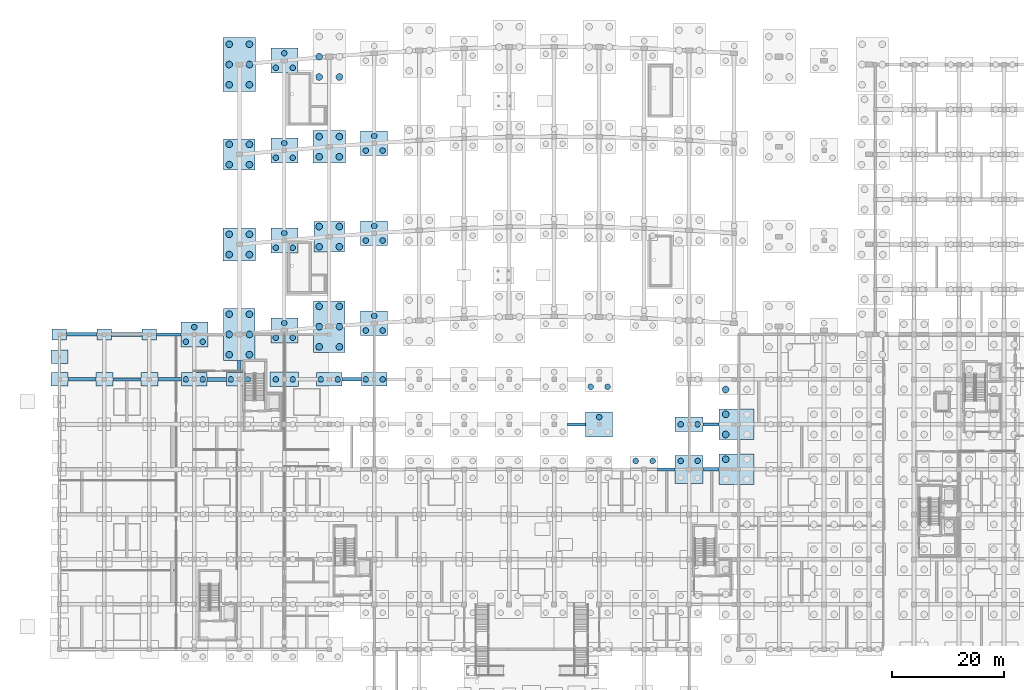
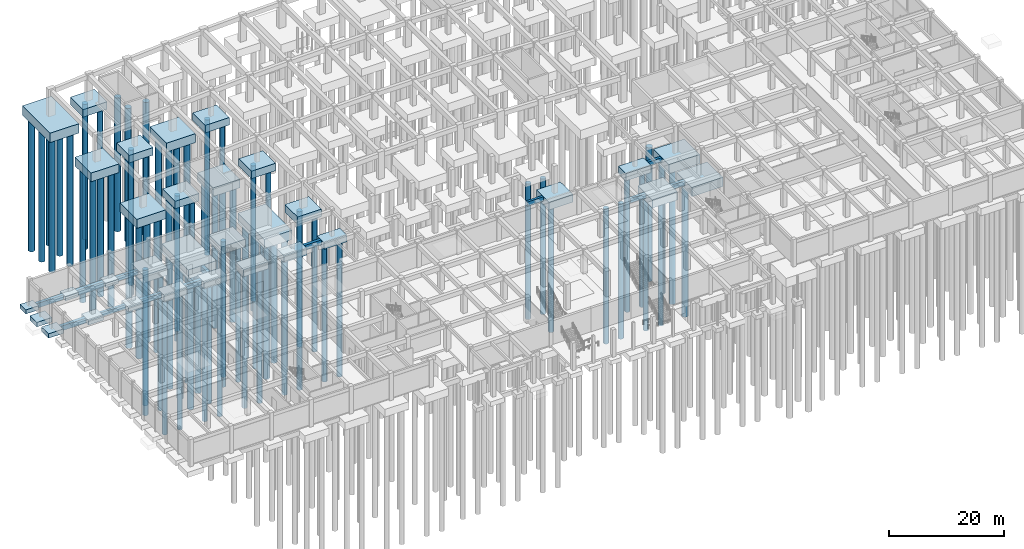
# One storey, part 4 of 45: 84 piles, 45 footings.
"""IFC4 building model written with IfcOpenShell, lengths in metres."""

from ifc_helpers import new_model, si_unit, direction, frame, origin, origin_2d, place, context, subcontext, project, spatial, rectangle, circle, extrude, material, material_profile, profile_set, type_object, element, save


model = new_model("IFC4")

# Units and contexts
model_context = context("Model", 3, precision=1e-05, world=origin(), true_north=direction((0.0, 1.0)))
body_context = subcontext(model_context, "Body", "Model", "MODEL_VIEW")
ifc_project = project(units=[si_unit("LENGTHUNIT", "METRE"), si_unit("AREAUNIT", "SQUARE_METRE"), si_unit("VOLUMEUNIT", "CUBIC_METRE"), si_unit("PLANEANGLEUNIT", "RADIAN"), si_unit("MASSUNIT", "GRAM", prefix="KILO")], contexts=[model_context])

# Site, building, storey
site_placement = place(None, origin())
site = spatial("IfcSite", under=ifc_project, at=site_placement, CompositionType="ELEMENT")
building_placement = place(site_placement, origin())
building = spatial("IfcBuilding", under=site, at=building_placement, Name="Kenh Van Central Station", CompositionType="ELEMENT")
storey_placement = place(building_placement, frame((0.0, 0.0, -5.39990234375)))
storey = spatial("IfcBuildingStorey", under=building, at=storey_placement, Name="B1", CompositionType="ELEMENT", Elevation=-5.39990234375)

# Footings
ifc_material = material(Name="Concrete C40/50", Category="concrete")
ifc_material_profile_1 = material_profile(ifc_material, rectangle(XDim=0.5, YDim=0.89990234375, at=origin_2d()), Name="RC 500x900")
ifc_profile_set_1 = profile_set([ifc_material_profile_1], Name="Concrete C40/50")
footing_type_1 = type_object("IfcFootingType", Name="FBM-500x900", PredefinedType="FOOTING_BEAM", material=ifc_profile_set_1)
footing_1_placement = place(storey_placement, frame((9.5, 56.0, -0.85009765625), z_axis=(1.0, 0.0, 0.0), x_axis=(0.0, 1.0, 0.0)))
element("IfcFooting", 1, at=footing_1_placement, inside=storey, type_object=footing_type_1, Name="Ground tie beam 019", PredefinedType="FOOTING_BEAM", context=body_context, shape_type="SweptSolid", body=[
    extrude(rectangle(XDim=0.5, YDim=0.89990234375, at=origin_2d()), origin(), (0.0, 0.0, 1.0), 5.0),
])
footing_2_placement = place(storey_placement, frame((114.5, 48.0, -0.85009765625), z_axis=(1.0, 0.0, 0.0), x_axis=(0.0, 1.0, 0.0)))
element("IfcFooting", 2, at=footing_2_placement, inside=storey, type_object=footing_type_1, Name="Ground tie beam 089", PredefinedType="FOOTING_BEAM", context=body_context, shape_type="SweptSolid", body=[
    extrude(rectangle(XDim=0.5, YDim=0.89990234375, at=origin_2d()), origin(), (0.0, 0.0, 1.0), 2.800048828125),
])
footing_3_placement = place(storey_placement, frame((90.39990234375, 48.0, -0.85009765625), z_axis=(1.0, 0.0, 0.0), x_axis=(0.0, 1.0, 0.0)))
element("IfcFooting", 3, at=footing_3_placement, inside=storey, type_object=footing_type_1, Name="Ground tie beam 099", PredefinedType="FOOTING_BEAM", context=body_context, shape_type="SweptSolid", body=[
    extrude(rectangle(XDim=0.5, YDim=0.89990234375, at=origin_2d()), origin(), (0.0, 0.0, 1.0), 3.2001953125),
])
ifc_material_profile_2 = material_profile(ifc_material, rectangle(XDim=0.550048828125, YDim=0.949951171875, at=origin_2d()), Name="RC 550x950")
ifc_profile_set_2 = profile_set([ifc_material_profile_2], Name="Concrete C40/50")
footing_type_2 = type_object("IfcFootingType", Name="FBM-550x950", PredefinedType="FOOTING_BEAM", material=ifc_profile_set_2)
footing_4_placement = place(storey_placement, frame((17.300048828125, 64.0, -0.875), z_axis=(1.0, 0.0, 0.0), x_axis=(0.0, 1.0, 0.0)))
element("IfcFooting", 4, at=footing_4_placement, inside=storey, type_object=footing_type_2, Name="Ground tie beam 028", PredefinedType="FOOTING_BEAM", context=body_context, shape_type="SweptSolid", body=[
    extrude(rectangle(XDim=0.550048828125, YDim=0.949951171875, at=origin_2d()), origin(), (0.0, 0.0, 1.0), 4.300048828125),
])
footing_5_placement = place(storey_placement, frame((106.39990234375, 40.0, -0.875), z_axis=(1.0, 0.0, 0.0), x_axis=(0.0, 1.0, 0.0)))
element("IfcFooting", 5, at=footing_5_placement, inside=storey, type_object=footing_type_2, Name="Ground tie beam 078", PredefinedType="FOOTING_BEAM", context=body_context, shape_type="SweptSolid", body=[
    extrude(rectangle(XDim=0.550048828125, YDim=0.949951171875, at=origin_2d()), origin(), (0.0, 0.0, 1.0), 3.10009765625),
])
ifc_material_profile_3 = material_profile(ifc_material, rectangle(XDim=0.60009765625, YDim=1.0, at=origin_2d()), Name="RC 600x1000")
ifc_profile_set_3 = profile_set([ifc_material_profile_3], Name="Concrete C40/50")
footing_type_3 = type_object("IfcFootingType", Name="FBM-600x1000", PredefinedType="FOOTING_BEAM", material=ifc_profile_set_3)
footing_6_placement = place(storey_placement, frame((1.300048828125, 64.0, -0.900146484375), z_axis=(1.0, 0.0, 0.0), x_axis=(0.0, 1.0, 0.0)))
element("IfcFooting", 6, at=footing_6_placement, inside=storey, type_object=footing_type_3, Name="Ground tie beam 012", PredefinedType="FOOTING_BEAM", context=body_context, shape_type="SweptSolid", body=[
    extrude(rectangle(XDim=0.60009765625, YDim=1.0, at=origin_2d()), origin(), (0.0, 0.0, 1.0), 5.39990234375),
])
footing_7_placement = place(storey_placement, frame((17.5, 56.0, -0.900146484375), z_axis=(1.0, 0.0, 0.0), x_axis=(0.0, 1.0, 0.0)))
element("IfcFooting", 7, at=footing_7_placement, inside=storey, type_object=footing_type_3, Name="Ground tie beam 027", PredefinedType="FOOTING_BEAM", context=body_context, shape_type="SweptSolid", body=[
    extrude(rectangle(XDim=0.60009765625, YDim=1.0, at=origin_2d()), origin(), (0.0, 0.0, 1.0), 4.199951171875),
])
footing_8_placement = place(storey_placement, frame((50.300048828125, 56.0, -0.900146484375), z_axis=(1.0, 0.0, 0.0), x_axis=(0.0, 1.0, 0.0)))
element("IfcFooting", 8, at=footing_8_placement, inside=storey, type_object=footing_type_3, Name="Ground tie beam 042", PredefinedType="FOOTING_BEAM", context=body_context, shape_type="SweptSolid", body=[
    extrude(rectangle(XDim=0.60009765625, YDim=1.0, at=origin_2d()), origin(), (0.0, 0.0, 1.0), 3.39990234375),
])
footing_9_placement = place(storey_placement, frame((114.5, 40.0, -0.900146484375), z_axis=(1.0, 0.0, 0.0), x_axis=(0.0, 1.0, 0.0)))
element("IfcFooting", 9, at=footing_9_placement, inside=storey, type_object=footing_type_3, Name="Ground tie beam 082", PredefinedType="FOOTING_BEAM", context=body_context, shape_type="SweptSolid", body=[
    extrude(rectangle(XDim=0.60009765625, YDim=1.0, at=origin_2d()), origin(), (0.0, 0.0, 1.0), 2.800048828125),
])
ifc_material_profile_4 = material_profile(ifc_material, rectangle(XDim=0.64990234375, YDim=1.050048828125, at=origin_2d()), Name="RC 650x1050")
ifc_profile_set_4 = profile_set([ifc_material_profile_4], Name="Concrete C40/50")
footing_type_4 = type_object("IfcFootingType", Name="FBM-650x1050", PredefinedType="FOOTING_BEAM", material=ifc_profile_set_4)
footing_10_placement = place(storey_placement, frame((32.0, 57.199951171875, -0.925048828125), z_axis=(0.0, 1.0, 0.0), x_axis=(-1.0, 0.0, 0.0)))
element("IfcFooting", 10, at=footing_10_placement, inside=storey, type_object=footing_type_4, Name="Ground tie beam 001", PredefinedType="FOOTING_BEAM", context=body_context, shape_type="SweptSolid", body=[
    extrude(rectangle(XDim=0.64990234375, YDim=1.050048828125, at=origin_2d()), origin(), (0.0, 0.0, 1.0), 2.199951171875),
])
footing_11_placement = place(storey_placement, frame((1.5, 56.0, -0.925048828125), z_axis=(1.0, 0.0, 0.0), x_axis=(0.0, 1.0, 0.0)))
element("IfcFooting", 11, at=footing_11_placement, inside=storey, type_object=footing_type_4, Name="Ground tie beam 011", PredefinedType="FOOTING_BEAM", context=body_context, shape_type="SweptSolid", body=[
    extrude(rectangle(XDim=0.64990234375, YDim=1.050048828125, at=origin_2d()), origin(), (0.0, 0.0, 1.0), 5.0),
])
ifc_material_profile_5 = material_profile(ifc_material, rectangle(XDim=0.699951171875, YDim=1.14990234375, at=origin_2d()), Name="RC 700x1150")
ifc_profile_set_5 = profile_set([ifc_material_profile_5], Name="Concrete C40/50")
footing_type_5 = type_object("IfcFootingType", Name="FBM-700x1150", PredefinedType="FOOTING_BEAM", material=ifc_profile_set_5)
footing_12_placement = place(storey_placement, frame((9.300048828125, 64.0, -0.97509765625), z_axis=(1.0, 0.0, 0.0), x_axis=(0.0, 1.0, 0.0)))
element("IfcFooting", 12, at=footing_12_placement, inside=storey, type_object=footing_type_5, Name="Ground tie beam 020", PredefinedType="FOOTING_BEAM", context=body_context, shape_type="SweptSolid", body=[
    extrude(rectangle(XDim=0.699951171875, YDim=1.14990234375, at=origin_2d()), origin(), (0.0, 0.0, 1.0), 5.39990234375),
])
footing_13_placement = place(storey_placement, frame((26.300048828125, 56.0, -0.97509765625), z_axis=(1.0, 0.0, 0.0), x_axis=(0.0, 1.0, 0.0)))
element("IfcFooting", 13, at=footing_13_placement, inside=storey, type_object=footing_type_5, Name="Ground tie beam 035", PredefinedType="FOOTING_BEAM", context=body_context, shape_type="SweptSolid", body=[
    extrude(rectangle(XDim=0.699951171875, YDim=1.14990234375, at=origin_2d()), origin(), (0.0, 0.0, 1.0), 3.39990234375),
])
footing_type_6 = type_object("IfcFootingType", Name="FCAP-2P-4600x2400x1450", PredefinedType="PILE_CAP", material=ifc_material)
for number, where, z_axis, x_axis, name in (
    (14, (24.0, 56.0, -1.85009765625), (0.0, 0.0, 1.0), (1.0, 0.0, 0.0), "Foundation FDN-091"),
    (15, (32.0, 56.0, -1.85009765625), (0.0, 0.0, 1.0), (1.0, 0.0, 0.0), "Foundation FDN-099"),
    (16, (48.0, 56.0, -1.85009765625), (0.0, 0.0, 1.0), (1.0, 0.0, 0.0), "Foundation FDN-113"),
    (17, (56.0, 56.0, -1.85009765625), (0.0, 0.0, 1.0), (1.0, 0.0, 0.0), "Foundation FDN-175"),
):
    element("IfcFooting", number, at=place(storey_placement, frame(where, z_axis=z_axis, x_axis=x_axis)), inside=storey, type_object=footing_type_6, Name=name, PredefinedType="PILE_CAP", context=body_context, shape_type="SweptSolid", body=[
        extrude(rectangle(XDim=4.60009765625, YDim=2.39990234375, at=origin_2d()), origin(), (0.0, 0.0, 1.0), 1.449951171875),
    ])
footing_type_7 = type_object("IfcFootingType", Name="FCAP-2P-5000x2600x1550", PredefinedType="PILE_CAP", material=ifc_material)
for number, where, z_axis, x_axis, name in (
    (18, (40.0, 56.0, -1.9501953125), (0.0, 0.0, 1.0), (1.0, 0.0, 0.0), "Foundation FDN-106"),
    (19, (112.0, 48.0, -1.9501953125), (0.0, 0.0, 1.0), (1.0, 0.0, 0.0), "Foundation FDN-176"),
):
    element("IfcFooting", number, at=place(storey_placement, frame(where, z_axis=z_axis, x_axis=x_axis)), inside=storey, type_object=footing_type_7, Name=name, PredefinedType="PILE_CAP", context=body_context, shape_type="SweptSolid", body=[
        extrude(rectangle(XDim=5.0, YDim=2.60009765625, at=origin_2d()), origin(), (0.0, 0.0, 1.0), 1.550048828125),
    ])
footing_type_8 = type_object("IfcFootingType", Name="FCAP-3P-4800x4400x1600", PredefinedType="PILE_CAP", material=ifc_material)
for number, where, z_axis, x_axis, name in (
    (20, (40.0, 64.712158203125, -2.000244140625), (0.0, 0.0, 1.0), (1.0, 0.0, 0.0), "Foundation FDN-005"),
    (21, (40.0, 80.712158203125, -2.000244140625), (0.0, 0.0, 1.0), (1.0, 0.0, 0.0), "Foundation FDN-006"),
    (22, (40.0, 96.712158203125, -2.000244140625), (0.0, 0.0, 1.0), (1.0, 0.0, 0.0), "Foundation FDN-007"),
    (23, (40.0, 112.712158203125, -2.000244140625), (0.0, 0.0, 1.0), (1.0, 0.0, 0.0), "Foundation FDN-008"),
    (24, (56.0, 65.9951171875, -2.000244140625), (0.0, 0.0, 1.0), (1.0, 0.0, 0.0), "Foundation FDN-013"),
    (25, (56.0, 81.9951171875, -2.000244140625), (0.0, 0.0, 1.0), (1.0, 0.0, 0.0), "Foundation FDN-014"),
    (26, (56.0, 97.9951171875, -2.000244140625), (0.0, 0.0, 1.0), (1.0, 0.0, 0.0), "Foundation FDN-015"),
    (27, (24.0, 64.0, -2.000244140625), (0.0, 0.0, 1.0), (1.0, 0.0, 0.0), "Foundation FDN-092"),
    (28, (96.0, 48.0, -2.000244140625), (0.0, 0.0, 1.0), (1.0, 0.0, 0.0), "Foundation FDN-188"),
):
    element("IfcFooting", number, at=place(storey_placement, frame(where, z_axis=z_axis, x_axis=x_axis)), inside=storey, type_object=footing_type_8, Name=name, PredefinedType="PILE_CAP", context=body_context, shape_type="SweptSolid", body=[
        extrude(rectangle(XDim=4.800048828125, YDim=4.39990234375, at=origin_2d()), origin(), (0.0, 0.0, 1.0), 1.60009765625),
    ])
footing_type_9 = type_object("IfcFootingType", Name="FCAP-4P-5000x5000x1750", PredefinedType="PILE_CAP", material=ifc_material)
footing_14_placement = place(storey_placement, frame((112.0, 40.0, -2.150146484375), z_axis=(0.0, 0.0, 1.0), x_axis=(1.0, 0.0, 0.0)))
element("IfcFooting", 29, at=footing_14_placement, inside=storey, type_object=footing_type_9, Name="Foundation FDN-169", PredefinedType="PILE_CAP", context=body_context, shape_type="SweptSolid", body=[
    extrude(rectangle(XDim=5.0, YDim=5.0, at=origin_2d()), origin(), (0.0, 0.0, 1.0), 1.75),
])
footing_type_10 = type_object("IfcFootingType", Name="FCAP-4P-5400x5400x1800", PredefinedType="PILE_CAP", material=ifc_material)
footing_15_placement = place(storey_placement, frame((48.0, 81.388427734375, -2.2001953125), z_axis=(0.0, 0.0, 1.0), x_axis=(1.0, 0.0, 0.0)))
element("IfcFooting", 30, at=footing_15_placement, inside=storey, type_object=footing_type_10, Name="Foundation FDN-010", PredefinedType="PILE_CAP", context=body_context, shape_type="SweptSolid", body=[
    extrude(rectangle(XDim=5.39990234375, YDim=5.39990234375, at=origin_2d()), origin(), (0.0, 0.0, 1.0), 1.800048828125),
])
footing_type_11 = type_object("IfcFootingType", Name="FCAP-4P-5600x5600x1850", PredefinedType="PILE_CAP", material=ifc_material)
footing_16_placement = place(storey_placement, frame((32.0, 96.0, -2.250244140625), z_axis=(0.0, 0.0, 1.0), x_axis=(1.0, 0.0, 0.0)))
element("IfcFooting", 31, at=footing_16_placement, inside=storey, type_object=footing_type_11, Name="Foundation FDN-003", PredefinedType="PILE_CAP", context=body_context, shape_type="SweptSolid", body=[
    extrude(rectangle(XDim=5.60009765625, YDim=5.60009765625, at=origin_2d()), origin(), (0.0, 0.0, 1.0), 1.85009765625),
])
footing_type_12 = type_object("IfcFootingType", Name="FCAP-4P-5800x5800x1900", PredefinedType="PILE_CAP", material=ifc_material)
for number, where, z_axis, x_axis, name in (
    (32, (32.0, 80.0, -2.300048828125), (0.0, 0.0, 1.0), (1.0, 0.0, 0.0), "Foundation FDN-002"),
    (33, (48.0, 97.388427734375, -2.300048828125), (0.0, 0.0, 1.0), (1.0, 0.0, 0.0), "Foundation FDN-011"),
):
    element("IfcFooting", number, at=place(storey_placement, frame(where, z_axis=z_axis, x_axis=x_axis)), inside=storey, type_object=footing_type_12, Name=name, PredefinedType="PILE_CAP", context=body_context, shape_type="SweptSolid", body=[
        extrude(rectangle(XDim=5.800048828125, YDim=5.800048828125, at=origin_2d()), origin(), (0.0, 0.0, 1.0), 1.89990234375),
    ])
footing_type_13 = type_object("IfcFootingType", Name="FCAP-4P-6200x5400x1950", PredefinedType="PILE_CAP", material=ifc_material)
for number, where, z_axis, x_axis, name in (
    (34, (120.39990234375, 40.0, -2.35009765625), (0.0, 0.0, 1.0), (1.0, 0.0, 0.0), "Foundation FDN-173"),
    (35, (120.39990234375, 48.0, -2.35009765625), (0.0, 0.0, 1.0), (1.0, 0.0, 0.0), "Foundation FDN-178"),
):
    element("IfcFooting", number, at=place(storey_placement, frame(where, z_axis=z_axis, x_axis=x_axis)), inside=storey, type_object=footing_type_13, Name=name, PredefinedType="PILE_CAP", context=body_context, shape_type="SweptSolid", body=[
        extrude(rectangle(XDim=6.199951171875, YDim=5.39990234375, at=origin_2d()), origin(), (0.0, 0.0, 1.0), 1.949951171875),
    ])
footing_type_14 = type_object("IfcFootingType", Name="FCAP-6P-9200x5600x1950", PredefinedType="PILE_CAP", material=ifc_material)
for number, where, z_axis, x_axis, name in (
    (36, (32.0, 64.0, -2.35009765625), (0.0, 0.0, 1.0), (0.0, 1.0, 0.0), "Foundation FDN-001"),
    (37, (48.0, 65.388427734375, -2.35009765625), (0.0, 0.0, 1.0), (0.0, 1.0, 0.0), "Foundation FDN-009"),
):
    element("IfcFooting", number, at=place(storey_placement, frame(where, z_axis=z_axis, x_axis=x_axis)), inside=storey, type_object=footing_type_14, Name=name, PredefinedType="PILE_CAP", context=body_context, shape_type="SweptSolid", body=[
        extrude(rectangle(XDim=9.199951171875, YDim=5.60009765625, at=origin_2d()), origin(), (0.0, 0.0, 1.0), 1.949951171875),
    ])
footing_type_15 = type_object("IfcFootingType", Name="FCAP-6P-9600x5800x2000", PredefinedType="PILE_CAP", material=ifc_material)
footing_17_placement = place(storey_placement, frame((32.0, 112.0, -2.400146484375), z_axis=(0.0, 0.0, 1.0), x_axis=(0.0, 1.0, 0.0)))
element("IfcFooting", 38, at=footing_17_placement, inside=storey, type_object=footing_type_15, Name="Foundation FDN-004", PredefinedType="PILE_CAP", context=body_context, shape_type="SweptSolid", body=[
    extrude(rectangle(XDim=9.60009765625, YDim=5.800048828125, at=origin_2d()), origin(), (0.0, 0.0, 1.0), 2.0),
])
footing_type_16 = type_object("IfcFootingType", Name="FPAD-2600x2000x850", PredefinedType="PAD_FOOTING", material=ifc_material)
for number, where, z_axis, x_axis, name in (
    (39, (0.0, 64.0, -1.250244140625), (0.0, 0.0, 1.0), (1.0, 0.0, 0.0), "Foundation FDN-068"),
    (40, (8.0, 64.0, -1.250244140625), (0.0, 0.0, 1.0), (1.0, 0.0, 0.0), "Foundation FDN-076"),
    (41, (16.0, 64.0, -1.250244140625), (0.0, 0.0, 1.0), (1.0, 0.0, 0.0), "Foundation FDN-084"),
):
    element("IfcFooting", number, at=place(storey_placement, frame(where, z_axis=z_axis, x_axis=x_axis)), inside=storey, type_object=footing_type_16, Name=name, PredefinedType="PAD_FOOTING", context=body_context, shape_type="SweptSolid", body=[
        extrude(rectangle(XDim=2.60009765625, YDim=2.0, at=origin_2d()), origin(), (0.0, 0.0, 1.0), 0.85009765625),
    ])
footing_type_17 = type_object("IfcFootingType", Name="FPAD-3000x2400x950", PredefinedType="PAD_FOOTING", material=ifc_material)
for number, where, z_axis, x_axis, name in (
    (42, (0.0, 56.0, -1.35009765625), (0.0, 0.0, 1.0), (1.0, 0.0, 0.0), "Foundation FDN-067"),
    (43, (8.0, 56.0, -1.35009765625), (0.0, 0.0, 1.0), (1.0, 0.0, 0.0), "Foundation FDN-075"),
    (44, (16.0, 56.0, -1.35009765625), (0.0, 0.0, 1.0), (1.0, 0.0, 0.0), "Foundation FDN-083"),
    (45, (0.0, 60.0, -1.35009765625), (0.0, 0.0, 1.0), (1.0, 0.0, 0.0), "Foundation FDN-120"),
):
    element("IfcFooting", number, at=place(storey_placement, frame(where, z_axis=z_axis, x_axis=x_axis)), inside=storey, type_object=footing_type_17, Name=name, PredefinedType="PAD_FOOTING", context=body_context, shape_type="SweptSolid", body=[
        extrude(rectangle(XDim=3.0, YDim=2.39990234375, at=origin_2d()), origin(), (0.0, 0.0, 1.0), 0.949951171875),
    ])

# Piles
ifc_material_profile_6 = material_profile(ifc_material, circle(Radius=0.5, at=origin_2d()), Name="PILE D1000")
ifc_profile_set_6 = profile_set([ifc_material_profile_6], Name="Concrete C40/50")
pile_type_1 = type_object("IfcPileType", Name="PILE-BORED-1000", PredefinedType="BORED", material=ifc_profile_set_6)
for number, where, z_axis, x_axis, name in (
    (46, (38.5, 63.412109375, -1.900146484375), (0.0, 0.0, -1.0), (1.0, 0.0, 0.0), "Bored pile 0021"),
    (47, (41.5, 63.412109375, -1.900146484375), (0.0, 0.0, -1.0), (1.0, 0.0, 0.0), "Bored pile 0022"),
    (48, (40.0, 66.01220703125, -1.900146484375), (0.0, 0.0, -1.0), (1.0, 0.0, 0.0), "Bored pile 0023"),
    (49, (38.5, 79.412109375, -1.900146484375), (0.0, 0.0, -1.0), (1.0, 0.0, 0.0), "Bored pile 0024"),
    (50, (41.5, 79.412109375, -1.900146484375), (0.0, 0.0, -1.0), (1.0, 0.0, 0.0), "Bored pile 0025"),
    (51, (40.0, 82.01220703125, -1.900146484375), (0.0, 0.0, -1.0), (1.0, 0.0, 0.0), "Bored pile 0026"),
    (52, (38.5, 95.412109375, -1.900146484375), (0.0, 0.0, -1.0), (1.0, 0.0, 0.0), "Bored pile 0027"),
    (53, (41.5, 95.412109375, -1.900146484375), (0.0, 0.0, -1.0), (1.0, 0.0, 0.0), "Bored pile 0028"),
    (54, (40.0, 98.01220703125, -1.900146484375), (0.0, 0.0, -1.0), (1.0, 0.0, 0.0), "Bored pile 0029"),
    (55, (38.5, 111.412109375, -1.900146484375), (0.0, 0.0, -1.0), (1.0, 0.0, 0.0), "Bored pile 0030"),
    (56, (41.5, 111.412109375, -1.900146484375), (0.0, 0.0, -1.0), (1.0, 0.0, 0.0), "Bored pile 0031"),
    (57, (40.0, 114.01220703125, -1.900146484375), (0.0, 0.0, -1.0), (1.0, 0.0, 0.0), "Bored pile 0032"),
    (58, (54.5, 64.6953125, -1.900146484375), (0.0, 0.0, -1.0), (1.0, 0.0, 0.0), "Bored pile 0053"),
    (59, (57.5, 64.6953125, -1.900146484375), (0.0, 0.0, -1.0), (1.0, 0.0, 0.0), "Bored pile 0054"),
    (60, (56.0, 67.295166015625, -1.900146484375), (0.0, 0.0, -1.0), (1.0, 0.0, 0.0), "Bored pile 0055"),
    (61, (54.5, 80.6953125, -1.900146484375), (0.0, 0.0, -1.0), (1.0, 0.0, 0.0), "Bored pile 0056"),
    (62, (57.5, 80.6953125, -1.900146484375), (0.0, 0.0, -1.0), (1.0, 0.0, 0.0), "Bored pile 0057"),
    (63, (56.0, 83.295166015625, -1.900146484375), (0.0, 0.0, -1.0), (1.0, 0.0, 0.0), "Bored pile 0058"),
    (64, (54.5, 96.6953125, -1.900146484375), (0.0, 0.0, -1.0), (1.0, 0.0, 0.0), "Bored pile 0059"),
    (65, (57.5, 96.6953125, -1.900146484375), (0.0, 0.0, -1.0), (1.0, 0.0, 0.0), "Bored pile 0060"),
    (66, (56.0, 99.295166015625, -1.900146484375), (0.0, 0.0, -1.0), (1.0, 0.0, 0.0), "Bored pile 0061"),
):
    element("IfcPile", number, at=place(storey_placement, frame(where, z_axis=z_axis, x_axis=x_axis)), inside=storey, type_object=pile_type_1, Name=name, PredefinedType="BORED", context=body_context, shape_type="SweptSolid", body=[
        extrude(circle(Radius=0.5, at=origin_2d()), origin(), (0.0, 0.0, 1.0), 28.699951171875),
    ])
for number, where, z_axis, x_axis, name in (
    (67, (22.5, 56.0, -1.75), (0.0, 0.0, -1.0), (1.0, 0.0, 0.0), "Bored pile 0258"),
    (68, (25.5, 56.0, -1.75), (0.0, 0.0, -1.0), (1.0, 0.0, 0.0), "Bored pile 0259"),
):
    element("IfcPile", number, at=place(storey_placement, frame(where, z_axis=z_axis, x_axis=x_axis)), inside=storey, type_object=pile_type_1, Name=name, PredefinedType="BORED", context=body_context, shape_type="SweptSolid", body=[
        extrude(circle(Radius=0.5, at=origin_2d()), origin(), (0.0, 0.0, 1.0), 28.85009765625),
    ])
for number, where, z_axis, x_axis, name in (
    (69, (22.5, 62.699951171875, -1.900146484375), (0.0, 0.0, -1.0), (1.0, 0.0, 0.0), "Bored pile 0260"),
    (70, (25.5, 62.699951171875, -1.900146484375), (0.0, 0.0, -1.0), (1.0, 0.0, 0.0), "Bored pile 0261"),
    (71, (24.0, 65.300048828125, -1.900146484375), (0.0, 0.0, -1.0), (1.0, 0.0, 0.0), "Bored pile 0262"),
):
    element("IfcPile", number, at=place(storey_placement, frame(where, z_axis=z_axis, x_axis=x_axis)), inside=storey, type_object=pile_type_1, Name=name, PredefinedType="BORED", context=body_context, shape_type="SweptSolid", body=[
        extrude(circle(Radius=0.5, at=origin_2d()), origin(), (0.0, 0.0, 1.0), 28.699951171875),
    ])
for number, where, z_axis, x_axis, name in (
    (72, (30.5, 56.0, -1.75), (0.0, 0.0, -1.0), (1.0, 0.0, 0.0), "Bored pile 0276"),
    (73, (33.5, 56.0, -1.75), (0.0, 0.0, -1.0), (1.0, 0.0, 0.0), "Bored pile 0277"),
):
    element("IfcPile", number, at=place(storey_placement, frame(where, z_axis=z_axis, x_axis=x_axis)), inside=storey, type_object=pile_type_1, Name=name, PredefinedType="BORED", context=body_context, shape_type="SweptSolid", body=[
        extrude(circle(Radius=0.5, at=origin_2d()), origin(), (0.0, 0.0, 1.0), 28.85009765625),
    ])
for number, where, z_axis, x_axis, name in (
    (74, (38.5, 56.0, -1.85009765625), (0.0, 0.0, -1.0), (1.0, 0.0, 0.0), "Bored pile 0291"),
    (75, (41.5, 56.0, -1.85009765625), (0.0, 0.0, -1.0), (1.0, 0.0, 0.0), "Bored pile 0292"),
):
    element("IfcPile", number, at=place(storey_placement, frame(where, z_axis=z_axis, x_axis=x_axis)), inside=storey, type_object=pile_type_1, Name=name, PredefinedType="BORED", context=body_context, shape_type="SweptSolid", body=[
        extrude(circle(Radius=0.5, at=origin_2d()), origin(), (0.0, 0.0, 1.0), 28.75),
    ])
for number, where, z_axis, x_axis, name in (
    (76, (46.5, 56.0, -1.75), (0.0, 0.0, -1.0), (1.0, 0.0, 0.0), "Bored pile 0306"),
    (77, (49.5, 56.0, -1.75), (0.0, 0.0, -1.0), (1.0, 0.0, 0.0), "Bored pile 0307"),
):
    element("IfcPile", number, at=place(storey_placement, frame(where, z_axis=z_axis, x_axis=x_axis)), inside=storey, type_object=pile_type_1, Name=name, PredefinedType="BORED", context=body_context, shape_type="SweptSolid", body=[
        extrude(circle(Radius=0.5, at=origin_2d()), origin(), (0.0, 0.0, 1.0), 28.85009765625),
    ])
for number, where, z_axis, x_axis, name in (
    (78, (102.5, 41.5, -2.0), (0.0, 0.0, -1.0), (1.0, 0.0, 0.0), "Bored pile 0373"),
    (79, (105.5, 41.5, -2.0), (0.0, 0.0, -1.0), (1.0, 0.0, 0.0), "Bored pile 0375"),
):
    element("IfcPile", number, at=place(storey_placement, frame(where, z_axis=z_axis, x_axis=x_axis)), inside=storey, type_object=pile_type_1, Name=name, PredefinedType="BORED", context=body_context, shape_type="SweptSolid", body=[
        extrude(circle(Radius=0.5, at=origin_2d()), origin(), (0.0, 0.0, 1.0), 28.60009765625),
    ])
for number, where, z_axis, x_axis, name in (
    (80, (110.5, 41.5, -2.050048828125), (0.0, 0.0, -1.0), (1.0, 0.0, 0.0), "Bored pile 0381"),
    (81, (113.5, 41.5, -2.050048828125), (0.0, 0.0, -1.0), (1.0, 0.0, 0.0), "Bored pile 0383"),
):
    element("IfcPile", number, at=place(storey_placement, frame(where, z_axis=z_axis, x_axis=x_axis)), inside=storey, type_object=pile_type_1, Name=name, PredefinedType="BORED", context=body_context, shape_type="SweptSolid", body=[
        extrude(circle(Radius=0.5, at=origin_2d()), origin(), (0.0, 0.0, 1.0), 28.550048828125),
    ])
for number, where, z_axis, x_axis, name in (
    (82, (54.5, 56.0, -1.75), (0.0, 0.0, -1.0), (1.0, 0.0, 0.0), "Bored pile 0402"),
    (83, (57.5, 56.0, -1.75), (0.0, 0.0, -1.0), (1.0, 0.0, 0.0), "Bored pile 0403"),
):
    element("IfcPile", number, at=place(storey_placement, frame(where, z_axis=z_axis, x_axis=x_axis)), inside=storey, type_object=pile_type_1, Name=name, PredefinedType="BORED", context=body_context, shape_type="SweptSolid", body=[
        extrude(circle(Radius=0.5, at=origin_2d()), origin(), (0.0, 0.0, 1.0), 28.85009765625),
    ])
for number, where, z_axis, x_axis, name in (
    (84, (110.5, 48.0, -1.85009765625), (0.0, 0.0, -1.0), (1.0, 0.0, 0.0), "Bored pile 0404"),
    (85, (113.5, 48.0, -1.85009765625), (0.0, 0.0, -1.0), (1.0, 0.0, 0.0), "Bored pile 0405"),
):
    element("IfcPile", number, at=place(storey_placement, frame(where, z_axis=z_axis, x_axis=x_axis)), inside=storey, type_object=pile_type_1, Name=name, PredefinedType="BORED", context=body_context, shape_type="SweptSolid", body=[
        extrude(circle(Radius=0.5, at=origin_2d()), origin(), (0.0, 0.0, 1.0), 28.75),
    ])
for number, where, z_axis, x_axis, name in (
    (86, (96.0, 49.300048828125, -1.900146484375), (0.0, 0.0, -1.0), (1.0, 0.0, 0.0), "Bored pile 0442"),
    (87, (94.5, 54.699951171875, -1.900146484375), (0.0, 0.0, -1.0), (1.0, 0.0, 0.0), "Bored pile 0443"),
    (88, (97.5, 54.699951171875, -1.900146484375), (0.0, 0.0, -1.0), (1.0, 0.0, 0.0), "Bored pile 0444"),
):
    element("IfcPile", number, at=place(storey_placement, frame(where, z_axis=z_axis, x_axis=x_axis)), inside=storey, type_object=pile_type_1, Name=name, PredefinedType="BORED", context=body_context, shape_type="SweptSolid", body=[
        extrude(circle(Radius=0.5, at=origin_2d()), origin(), (0.0, 0.0, 1.0), 28.699951171875),
    ])
ifc_material_profile_7 = material_profile(ifc_material, circle(Radius=0.60009765625, at=origin_2d()), Name="PILE D1200")
ifc_profile_set_7 = profile_set([ifc_material_profile_7], Name="Concrete C40/50")
pile_type_2 = type_object("IfcPileType", Name="PILE-BORED-1200", PredefinedType="BORED", material=ifc_profile_set_7)
for number, where, z_axis, x_axis, name in (
    (89, (30.199951171875, 60.39990234375, -2.25), (0.0, 0.0, -1.0), (1.0, 0.0, 0.0), "Bored pile 0001"),
    (90, (30.199951171875, 64.0, -2.25), (0.0, 0.0, -1.0), (1.0, 0.0, 0.0), "Bored pile 0002"),
    (91, (30.199951171875, 67.60009765625, -2.25), (0.0, 0.0, -1.0), (1.0, 0.0, 0.0), "Bored pile 0003"),
    (92, (33.800048828125, 60.39990234375, -2.25), (0.0, 0.0, -1.0), (1.0, 0.0, 0.0), "Bored pile 0004"),
    (93, (33.800048828125, 64.0, -2.25), (0.0, 0.0, -1.0), (1.0, 0.0, 0.0), "Bored pile 0005"),
    (94, (33.800048828125, 67.60009765625, -2.25), (0.0, 0.0, -1.0), (1.0, 0.0, 0.0), "Bored pile 0006"),
):
    element("IfcPile", number, at=place(storey_placement, frame(where, z_axis=z_axis, x_axis=x_axis)), inside=storey, type_object=pile_type_2, Name=name, PredefinedType="BORED", context=body_context, shape_type="SweptSolid", body=[
        extrude(circle(Radius=0.60009765625, at=origin_2d()), origin(), (0.0, 0.0, 1.0), 28.35009765625),
    ])
for number, where, z_axis, x_axis, name in (
    (95, (30.199951171875, 78.199951171875, -2.2001953125), (0.0, 0.0, -1.0), (1.0, 0.0, 0.0), "Bored pile 0007"),
    (96, (30.199951171875, 81.800048828125, -2.2001953125), (0.0, 0.0, -1.0), (1.0, 0.0, 0.0), "Bored pile 0008"),
    (97, (33.800048828125, 78.199951171875, -2.2001953125), (0.0, 0.0, -1.0), (1.0, 0.0, 0.0), "Bored pile 0009"),
    (98, (33.800048828125, 81.800048828125, -2.2001953125), (0.0, 0.0, -1.0), (1.0, 0.0, 0.0), "Bored pile 0010"),
):
    element("IfcPile", number, at=place(storey_placement, frame(where, z_axis=z_axis, x_axis=x_axis)), inside=storey, type_object=pile_type_2, Name=name, PredefinedType="BORED", context=body_context, shape_type="SweptSolid", body=[
        extrude(circle(Radius=0.60009765625, at=origin_2d()), origin(), (0.0, 0.0, 1.0), 28.39990234375),
    ])
for number, where, z_axis, x_axis, name in (
    (99, (30.199951171875, 94.199951171875, -2.150146484375), (0.0, 0.0, -1.0), (1.0, 0.0, 0.0), "Bored pile 0011"),
    (100, (30.199951171875, 97.800048828125, -2.150146484375), (0.0, 0.0, -1.0), (1.0, 0.0, 0.0), "Bored pile 0012"),
    (101, (33.800048828125, 94.199951171875, -2.150146484375), (0.0, 0.0, -1.0), (1.0, 0.0, 0.0), "Bored pile 0013"),
    (102, (33.800048828125, 97.800048828125, -2.150146484375), (0.0, 0.0, -1.0), (1.0, 0.0, 0.0), "Bored pile 0014"),
):
    element("IfcPile", number, at=place(storey_placement, frame(where, z_axis=z_axis, x_axis=x_axis)), inside=storey, type_object=pile_type_2, Name=name, PredefinedType="BORED", context=body_context, shape_type="SweptSolid", body=[
        extrude(circle(Radius=0.60009765625, at=origin_2d()), origin(), (0.0, 0.0, 1.0), 28.449951171875),
    ])
for number, where, z_axis, x_axis, name in (
    (103, (30.199951171875, 108.39990234375, -2.300048828125), (0.0, 0.0, -1.0), (1.0, 0.0, 0.0), "Bored pile 0015"),
    (104, (30.199951171875, 112.0, -2.300048828125), (0.0, 0.0, -1.0), (1.0, 0.0, 0.0), "Bored pile 0016"),
    (105, (30.199951171875, 115.60009765625, -2.300048828125), (0.0, 0.0, -1.0), (1.0, 0.0, 0.0), "Bored pile 0017"),
    (106, (33.800048828125, 108.39990234375, -2.300048828125), (0.0, 0.0, -1.0), (1.0, 0.0, 0.0), "Bored pile 0018"),
    (107, (33.800048828125, 112.0, -2.300048828125), (0.0, 0.0, -1.0), (1.0, 0.0, 0.0), "Bored pile 0019"),
    (108, (33.800048828125, 115.60009765625, -2.300048828125), (0.0, 0.0, -1.0), (1.0, 0.0, 0.0), "Bored pile 0020"),
):
    element("IfcPile", number, at=place(storey_placement, frame(where, z_axis=z_axis, x_axis=x_axis)), inside=storey, type_object=pile_type_2, Name=name, PredefinedType="BORED", context=body_context, shape_type="SweptSolid", body=[
        extrude(circle(Radius=0.60009765625, at=origin_2d()), origin(), (0.0, 0.0, 1.0), 28.300048828125),
    ])
for number, where, z_axis, x_axis, name in (
    (109, (46.199951171875, 61.788330078125, -2.25), (0.0, 0.0, -1.0), (1.0, 0.0, 0.0), "Bored pile 0033"),
    (110, (46.199951171875, 65.388427734375, -2.25), (0.0, 0.0, -1.0), (1.0, 0.0, 0.0), "Bored pile 0034"),
    (111, (46.199951171875, 68.98828125, -2.25), (0.0, 0.0, -1.0), (1.0, 0.0, 0.0), "Bored pile 0035"),
    (112, (49.800048828125, 61.788330078125, -2.25), (0.0, 0.0, -1.0), (1.0, 0.0, 0.0), "Bored pile 0036"),
    (113, (49.800048828125, 65.388427734375, -2.25), (0.0, 0.0, -1.0), (1.0, 0.0, 0.0), "Bored pile 0037"),
    (114, (49.800048828125, 68.98828125, -2.25), (0.0, 0.0, -1.0), (1.0, 0.0, 0.0), "Bored pile 0038"),
):
    element("IfcPile", number, at=place(storey_placement, frame(where, z_axis=z_axis, x_axis=x_axis)), inside=storey, type_object=pile_type_2, Name=name, PredefinedType="BORED", context=body_context, shape_type="SweptSolid", body=[
        extrude(circle(Radius=0.60009765625, at=origin_2d()), origin(), (0.0, 0.0, 1.0), 28.35009765625),
    ])
for number, where, z_axis, x_axis, name in (
    (115, (46.199951171875, 79.58837890625, -2.10009765625), (0.0, 0.0, -1.0), (1.0, 0.0, 0.0), "Bored pile 0039"),
    (116, (46.199951171875, 83.1884765625, -2.10009765625), (0.0, 0.0, -1.0), (1.0, 0.0, 0.0), "Bored pile 0040"),
    (117, (49.800048828125, 79.58837890625, -2.10009765625), (0.0, 0.0, -1.0), (1.0, 0.0, 0.0), "Bored pile 0041"),
    (118, (49.800048828125, 83.1884765625, -2.10009765625), (0.0, 0.0, -1.0), (1.0, 0.0, 0.0), "Bored pile 0042"),
):
    element("IfcPile", number, at=place(storey_placement, frame(where, z_axis=z_axis, x_axis=x_axis)), inside=storey, type_object=pile_type_2, Name=name, PredefinedType="BORED", context=body_context, shape_type="SweptSolid", body=[
        extrude(circle(Radius=0.60009765625, at=origin_2d()), origin(), (0.0, 0.0, 1.0), 28.5),
    ])
for number, where, z_axis, x_axis, name in (
    (119, (46.199951171875, 95.58837890625, -2.2001953125), (0.0, 0.0, -1.0), (1.0, 0.0, 0.0), "Bored pile 0043"),
    (120, (46.199951171875, 99.1884765625, -2.2001953125), (0.0, 0.0, -1.0), (1.0, 0.0, 0.0), "Bored pile 0044"),
    (121, (49.800048828125, 95.58837890625, -2.2001953125), (0.0, 0.0, -1.0), (1.0, 0.0, 0.0), "Bored pile 0045"),
    (122, (49.800048828125, 99.1884765625, -2.2001953125), (0.0, 0.0, -1.0), (1.0, 0.0, 0.0), "Bored pile 0046"),
):
    element("IfcPile", number, at=place(storey_placement, frame(where, z_axis=z_axis, x_axis=x_axis)), inside=storey, type_object=pile_type_2, Name=name, PredefinedType="BORED", context=body_context, shape_type="SweptSolid", body=[
        extrude(circle(Radius=0.60009765625, at=origin_2d()), origin(), (0.0, 0.0, 1.0), 28.39990234375),
    ])
for number, where, z_axis, x_axis, name in (
    (123, (46.199951171875, 109.788330078125, -2.300048828125), (0.0, 0.0, -1.0), (1.0, 0.0, 0.0), "Bored pile 0047"),
    (124, (46.199951171875, 113.388427734375, -2.300048828125), (0.0, 0.0, -1.0), (1.0, 0.0, 0.0), "Bored pile 0048"),
    (125, (49.800048828125, 109.788330078125, -2.300048828125), (0.0, 0.0, -1.0), (1.0, 0.0, 0.0), "Bored pile 0050"),
):
    element("IfcPile", number, at=place(storey_placement, frame(where, z_axis=z_axis, x_axis=x_axis)), inside=storey, type_object=pile_type_2, Name=name, PredefinedType="BORED", context=body_context, shape_type="SweptSolid", body=[
        extrude(circle(Radius=0.60009765625, at=origin_2d()), origin(), (0.0, 0.0, 1.0), 28.300048828125),
    ])
for number, where, z_axis, x_axis, name in (
    (126, (118.5, 41.800048828125, -2.25), (0.0, 0.0, -1.0), (1.0, 0.0, 0.0), "Bored pile 0397"),
    (127, (118.5, 46.199951171875, -2.25), (0.0, 0.0, -1.0), (1.0, 0.0, 0.0), "Bored pile 0408"),
    (128, (118.5, 49.800048828125, -2.25), (0.0, 0.0, -1.0), (1.0, 0.0, 0.0), "Bored pile 0409"),
    (129, (118.5, 54.199951171875, -2.25), (0.0, 0.0, -1.0), (1.0, 0.0, 0.0), "Bored pile 0412"),
):
    element("IfcPile", number, at=place(storey_placement, frame(where, z_axis=z_axis, x_axis=x_axis)), inside=storey, type_object=pile_type_2, Name=name, PredefinedType="BORED", context=body_context, shape_type="SweptSolid", body=[
        extrude(circle(Radius=0.60009765625, at=origin_2d()), origin(), (0.0, 0.0, 1.0), 28.35009765625),
    ])

save(model, "model.ifc")
